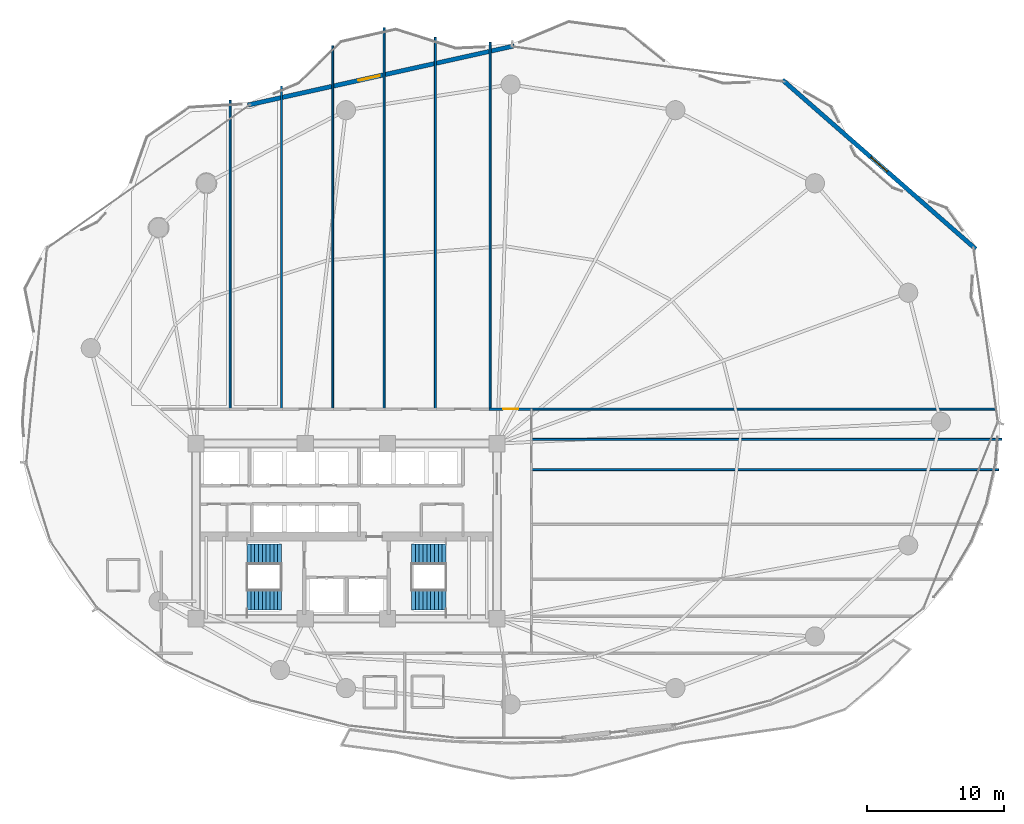
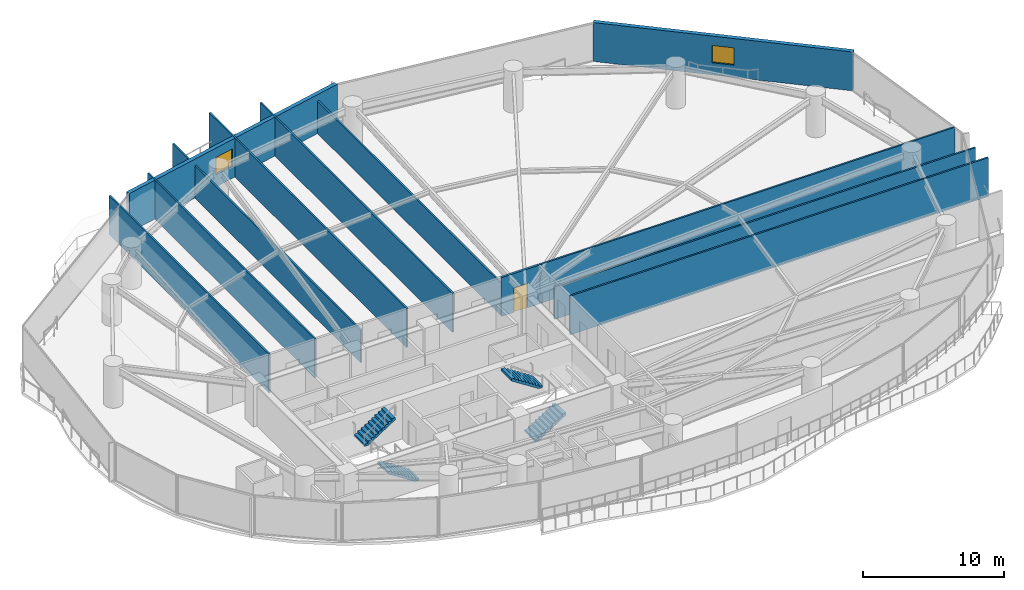
# One storey, part 27 of 32: 12 walls, 4 stair flights, 2 windows, 1 door, 3 openings, 2 elements without a shape of their own.
"""IFC4 building model written with IfcOpenShell, lengths in metres."""

from ifc_helpers import new_model, si_unit, direction, frame, frame_2d, origin, place, context, subcontext, project, spatial, polyline, rectangle, outline, extrude, material, layer, layer_set, type_object, element, fill, aggregate, save


model = new_model("IFC4")

# Units and contexts
model_context = context("Model", 3, precision=1e-05, world=origin(), true_north=direction((0.0, 1.0)))
body_context = subcontext(model_context, "Body", "Model", "MODEL_VIEW")
ifc_project = project(units=[si_unit("LENGTHUNIT", "METRE"), si_unit("AREAUNIT", "SQUARE_METRE"), si_unit("VOLUMEUNIT", "CUBIC_METRE"), si_unit("PLANEANGLEUNIT", "RADIAN"), si_unit("MASSUNIT", "GRAM", prefix="KILO")], contexts=[model_context])

# Site, building, storey
site_placement = place(None, origin())
site = spatial("IfcSite", under=ifc_project, at=site_placement, CompositionType="ELEMENT")
building_placement = place(site_placement, origin())
building = spatial("IfcBuilding", under=site, at=building_placement, Name="Kazevale Care Tower and Concert Hall", CompositionType="ELEMENT")
storey_placement = place(building_placement, frame((0.0, 0.0, 34.800048828125)))
storey = spatial("IfcBuildingStorey", under=building, at=storey_placement, Name="L08", CompositionType="ELEMENT", Elevation=34.800048828125)

# Walls
ifc_material_1 = material(Name="Acoustic Gypsum on Steel Stud", Category="steel")
ifc_layer_1 = layer(ifc_material_1, 0.139892578125)
ifc_layer_set_1 = layer_set([ifc_layer_1], Name="Acoustic Gypsum on Steel Stud")
wall_type_1 = type_object("IfcWallType", Name="Acoustic Care & Suite Partition 140", PredefinedType="PARTITIONING", material=ifc_layer_set_1)
wall_1_placement = place(storey_placement, frame((24.5, 61.48291015625, 0.0), z_axis=(0.0, 0.0, 1.0), x_axis=(0.0, -1.0, 0.0)))
element("IfcWall", 1, at=wall_1_placement, inside=storey, type_object=wall_type_1, Name="wall:L08:auto_019", PredefinedType="PARTITIONING", context=body_context, shape_type="SweptSolid", body=[
    extrude(rectangle(XDim=22.587890625, YDim=0.139892578125, at=frame_2d((11.2939453125, 0.0))), origin(), (0.0, 0.0, 1.0), 3.35986328125),
])
wall_2_placement = place(storey_placement, frame((28.25, 62.532958984375, 0.0), z_axis=(0.0, 0.0, 1.0), x_axis=(0.0, -1.0, 0.0)))
element("IfcWall", 2, at=wall_2_placement, inside=storey, type_object=wall_type_1, Name="wall:L08:auto_020", PredefinedType="PARTITIONING", context=body_context, shape_type="SweptSolid", body=[
    extrude(rectangle(XDim=23.637939453125, YDim=0.139892578125, at=frame_2d((11.81884765625, 0.0))), origin(), (0.0, 0.0, 1.0), 3.35986328125),
])
wall_3_placement = place(storey_placement, frame((32.0, 65.493896484375, 0.0), z_axis=(0.0, 0.0, 1.0), x_axis=(0.0, -1.0, 0.0)))
element("IfcWall", 3, at=wall_3_placement, inside=storey, type_object=wall_type_1, Name="wall:L08:auto_021", PredefinedType="PARTITIONING", context=body_context, shape_type="SweptSolid", body=[
    extrude(rectangle(XDim=26.598876953125, YDim=0.139892578125, at=frame_2d((13.29931640625, 0.0))), origin(), (0.0, 0.0, 1.0), 2.805908203125),
])
wall_4_placement = place(storey_placement, frame((35.75, 66.81298828125, 0.0), z_axis=(0.0, 0.0, 1.0), x_axis=(0.0, -1.0, 0.0)))
element("IfcWall", 4, at=wall_4_placement, inside=storey, type_object=wall_type_1, Name="wall:L08:auto_022", PredefinedType="PARTITIONING", context=body_context, shape_type="SweptSolid", body=[
    extrude(rectangle(XDim=27.91796875, YDim=0.139892578125, at=frame_2d((13.958984375, 0.0))), origin(), (0.0, 0.0, 1.0), 3.35986328125),
])
wall_5_placement = place(storey_placement, frame((39.5, 66.0869140625, 0.0), z_axis=(0.0, 0.0, 1.0), x_axis=(0.0, -1.0, 0.0)))
element("IfcWall", 5, at=wall_5_placement, inside=storey, type_object=wall_type_1, Name="wall:L08:auto_023", PredefinedType="PARTITIONING", context=body_context, shape_type="SweptSolid", body=[
    extrude(rectangle(XDim=27.19189453125, YDim=0.139892578125, at=frame_2d((13.595947265625, 0.0))), origin(), (0.0, 0.0, 1.0), 3.35986328125),
])
wall_6_placement = place(storey_placement, frame((43.5, 65.735107421875, 0.0), z_axis=(0.0, 0.0, 1.0), x_axis=(0.0, -1.0, 0.0)))
element("IfcWall", 6, at=wall_6_placement, inside=storey, type_object=wall_type_1, Name="wall:L08:auto_024", PredefinedType="PARTITIONING", context=body_context, shape_type="SweptSolid", body=[
    extrude(rectangle(XDim=26.840087890625, YDim=0.139892578125, at=frame_2d((13.419921875, 0.0))), origin(), (0.0, 0.0, 1.0), 2.805908203125),
])
wall_7_placement = place(storey_placement, frame((80.480224609375, 38.925048828125, 0.0), z_axis=(0.0, 0.0, 1.0), x_axis=(-1.0, 0.0, 0.0)))
element("IfcWall", 7, at=wall_7_placement, inside=storey, type_object=wall_type_1, Name="wall:L08:auto_025", PredefinedType="PARTITIONING", context=body_context, shape_type="SweptSolid", body=[
    extrude(rectangle(XDim=34.020263671875, YDim=0.139892578125, at=frame_2d((17.01025390625, 0.0))), origin(), (0.0, 0.0, 1.0), 3.35986328125),
])
wall_8_placement = place(storey_placement, frame((46.4951171875, 34.5, 0.0), z_axis=(0.0, 0.0, 1.0), x_axis=(1.0, 0.0, 0.0)))
element("IfcWall", 8, at=wall_8_placement, inside=storey, type_object=wall_type_1, Name="wall:L08:auto_030", PredefinedType="PARTITIONING", context=body_context, shape_type="SweptSolid", body=[
    extrude(rectangle(XDim=34.177001953125, YDim=0.139892578125, at=frame_2d((17.08837890625, 0.0))), origin(), (0.0, 0.0, 1.0), 3.35986328125),
])
wall_9_placement = place(storey_placement, frame((46.4951171875, 36.7099609375, 0.0), z_axis=(0.0, 0.0, 1.0), x_axis=(1.0, 0.0, 0.0)))
element("IfcWall", 9, at=wall_9_placement, inside=storey, type_object=wall_type_1, Name="wall:L08:auto_031", PredefinedType="PARTITIONING", context=body_context, shape_type="SweptSolid", body=[
    extrude(rectangle(XDim=34.409912109375, YDim=0.139892578125, at=frame_2d((17.205078125, 0.0))), origin(), (0.0, 0.0, 1.0), 2.805908203125),
])

# Wall, opening, door
ifc_material_2 = material(Name="Concrete C40 and Acoustic Gypsum", Category="concrete")
ifc_layer_2 = layer(ifc_material_2, 0.179931640625)
ifc_layer_set_2 = layer_set([ifc_layer_2], Name="Concrete C40 and Acoustic Gypsum")
wall_type_2 = type_object("IfcWallType", Name="Fire-Rated Corridor & Party Wall 180", PredefinedType="PARTITIONING", material=ifc_layer_set_2)
wall_10_placement = place(storey_placement, frame((43.43505859375, 38.925048828125, 0.0), z_axis=(0.0, 0.0, 1.0), x_axis=(1.0, 0.0, 0.0)))
wall_10 = element("IfcWall", 10, at=wall_10_placement, inside=storey, type_object=wall_type_2, Name="wall:L08:auto_007", PredefinedType="PARTITIONING", context=body_context, shape_type="SweptSolid", body=[
    extrude(rectangle(XDim=3.119873046875, YDim=0.179931640625, at=frame_2d((1.56005859375, 0.0))), origin(), (0.0, 0.0, 1.0), 3.35986328125),
])
opening_1_placement = place(wall_10_placement, frame((1.010009765625, 0.0, 0.0)))
opening_1 = element("IfcOpeningElement", 11, at=opening_1_placement, cuts=wall_10, Name="Opening ID-1100", PredefinedType="OPENING", context=body_context, shape_type="SweptSolid", body=[
    extrude(rectangle(XDim=1.10009765625, YDim=2.10009765625, at=frame_2d((0.550048828125, 1.050048828125))), frame((0.0, 0.099853515625, 0.0), z_axis=(0.0, -1.0, 0.0), x_axis=(1.0, 0.0, 0.0)), (0.0, 0.0, 1.0), 0.199951171875),
])
ifc_material_3 = material(Name="Oak Timber Fire Leaf", Category="wood")
door_type = type_object("IfcDoorType", Name="Care Bedroom Accessible Door 1100x2100", OperationType="NOTDEFINED", PredefinedType="DOOR", material=ifc_material_3)
door_placement = place(opening_1_placement, origin())
door = element("IfcDoor", 12, at=door_placement, inside=storey, type_object=door_type, Name="door:L08:ad_007", OperationType="SINGLE_SWING_LEFT", OverallHeight=2.10009765625, OverallWidth=1.10009765625, PredefinedType="DOOR", context=body_context, shape_type="SweptSolid", body=[
    extrude(rectangle(XDim=1.10009765625, YDim=2.10009765625, at=frame_2d((0.550048828125, 1.050048828125))), frame((0.0, 0.02490234375, 0.0), z_axis=(0.0, -1.0, 0.0), x_axis=(1.0, 0.0, 0.0)), (0.0, 0.0, 1.0), 0.050048828125),
])
fill(opening_1, door)

# Wall, opening, window
ifc_material_4 = material(Name="Concrete C40 with Honed Limestone Cladding", Category="masonry")
ifc_layer_3 = layer(ifc_material_4, 0.320068359375)
ifc_layer_set_3 = layer_set([ifc_layer_3], Name="Concrete C40 with Honed Limestone Cladding")
wall_type_3 = type_object("IfcWallType", Name="Tower Honed Limestone Spandrel Wall 320", PredefinedType="STANDARD", material=ifc_layer_set_3)
wall_11_placement = place(storey_placement, frame((25.780029296875, 61.14404296875, 0.0), z_axis=(0.0, 0.0, 1.0), x_axis=(0.976206349039, 0.216843639742, 0.0)))
wall_11 = element("IfcWall", 13, at=wall_11_placement, inside=storey, type_object=wall_type_3, Name="wall:L08:cbox:15", PredefinedType="STANDARD", context=body_context, shape_type="SweptSolid", body=[
    extrude(rectangle(XDim=19.949462890625, YDim=0.320068359375, at=frame_2d((9.974609375, 0.0))), origin(), (0.0, 0.0, 1.0), 3.35986328125),
])
opening_2_placement = place(wall_11_placement, frame((8.294921875, 0.0, 1.050048828125)))
opening_2 = element("IfcOpeningElement", 14, at=opening_2_placement, cuts=wall_11, Name="Opening WIN-1", PredefinedType="OPENING", context=body_context, shape_type="SweptSolid", body=[
    extrude(rectangle(XDim=1.60009765625, YDim=1.5, at=frame_2d((0.800048828125, 0.75))), frame((0.0, 0.169921875, 0.0), z_axis=(0.0, -1.0, 0.0), x_axis=(1.0, 0.0, 0.0)), (0.0, 0.0, 1.0), 0.340087890625),
])
ifc_material_5 = material(Name="Low-E Laminated Glass", Category="glass")
window_type = type_object("IfcWindowType", Name="Convex Box Deep-Set Window 1600x1500", PartitioningType="DOUBLE_PANEL_VERTICAL", PredefinedType="WINDOW", material=ifc_material_5)
window_1_placement = place(opening_2_placement, origin())
window_1 = element("IfcWindow", 15, at=window_1_placement, inside=storey, type_object=window_type, Name="win:L08:cbox:15", OverallHeight=1.5, OverallWidth=1.60009765625, PartitioningType="SINGLE_PANEL", PredefinedType="WINDOW", context=body_context, shape_type="SweptSolid", body=[
    extrude(rectangle(XDim=1.60009765625, YDim=1.5, at=frame_2d((0.800048828125, 0.75))), frame((0.0, 0.030029296875, 0.0), z_axis=(0.0, -1.0, 0.0), x_axis=(1.0, 0.0, 0.0)), (0.0, 0.0, 1.0), 0.06005859375),
])
fill(opening_2, window_1)

wall_12_placement = place(storey_placement, frame((64.8740234375, 62.98388671875, 0.0), z_axis=(0.0, 0.0, 1.0), x_axis=(0.752445311183, -0.658654730249, 0.0)))
wall_12 = element("IfcWall", 16, at=wall_12_placement, inside=storey, type_object=wall_type_3, Name="wall:L08:cbox:17", PredefinedType="STANDARD", context=body_context, shape_type="SweptSolid", body=[
    extrude(rectangle(XDim=18.765380859375, YDim=0.320068359375, at=frame_2d((9.3828125, 0.0))), origin(), (0.0, 0.0, 1.0), 3.35986328125),
])
opening_3_placement = place(wall_12_placement, frame((8.58203125, 0.0, 1.050048828125)))
opening_3 = element("IfcOpeningElement", 17, at=opening_3_placement, cuts=wall_12, Name="Opening WIN-1", PredefinedType="OPENING", context=body_context, shape_type="SweptSolid", body=[
    extrude(rectangle(XDim=1.60009765625, YDim=1.5, at=frame_2d((0.800048828125, 0.75))), frame((0.0, 0.169921875, 0.0), z_axis=(0.0, -1.0, 0.0), x_axis=(1.0, 0.0, 0.0)), (0.0, 0.0, 1.0), 0.340087890625),
])
window_2_placement = place(opening_3_placement, origin())
window_2 = element("IfcWindow", 18, at=window_2_placement, inside=storey, type_object=window_type, Name="win:L08:cbox:17", OverallHeight=1.5, OverallWidth=1.60009765625, PartitioningType="SINGLE_PANEL", PredefinedType="WINDOW", context=body_context, shape_type="SweptSolid", body=[
    extrude(rectangle(XDim=1.60009765625, YDim=1.5, at=frame_2d((0.800048828125, 0.75))), frame((0.0, 0.030029296875, 0.0), z_axis=(0.0, -1.0, 0.0), x_axis=(1.0, 0.0, 0.0)), (0.0, 0.0, 1.0), 0.06005859375),
])
fill(opening_3, window_2)

# Stair, stair flights
ifc_material_6 = material(Name="Concrete C40", Category="concrete")
stair_type = type_object("IfcStairType", Name="Exit Stair Assembly ST1-Z1", PredefinedType="HALF_TURN_STAIR", material=ifc_material_6)
stair_1_placement = place(storey_placement, origin())
stair_1 = element("IfcStair", 19, at=stair_1_placement, inside=storey, type_object=stair_type, Name="stair:L08:ST1", PredefinedType="HALF_TURN_STAIR")
ifc_layer_4 = layer(ifc_material_6, 0.159912109375)
ifc_layer_set_4 = layer_set([ifc_layer_4], Name="Concrete C40")
stair_flight_type = type_object("IfcStairFlightType", Name="Exit Stair Flight ST1-Z1", PredefinedType="STRAIGHT", material=ifc_layer_set_4)
stair_flight_1_placement = place(storey_placement, frame((28.25, 24.989990234375, 0.0), z_axis=(0.0, 0.0, 1.0), x_axis=(-1.0, 0.0, 0.0)))
stair_flight_1 = element("IfcStairFlight", 20, at=stair_flight_1_placement, type_object=stair_flight_type, Name="ST1-Z1 flight 1", NumberOfRisers=10, NumberOfTreads=9, PredefinedType="STRAIGHT", RiserHeight=0.18, TreadLength=0.28, context=body_context, shape_type="SweptSolid", body=[
    extrude(outline(polyline([(0.0, 0.0), (0.0, 0.179931640625), (0.280029296875, 0.179931640625), (0.280029296875, 0.360107421875), (0.56005859375, 0.360107421875), (0.56005859375, 0.5400390625), (0.840087890625, 0.5400390625), (0.840087890625, 0.719970703125), (1.1201171875, 0.719970703125), (1.1201171875, 0.89990234375), (1.39990234375, 0.89990234375), (1.39990234375, 1.080078125), (1.679931640625, 1.080078125), (1.679931640625, 1.260009765625), (1.9599609375, 1.260009765625), (1.9599609375, 1.43994140625), (2.239990234375, 1.43994140625), (2.239990234375, 1.6201171875), (2.52001953125, 1.6201171875), (2.52001953125, 1.800048828125), (2.52001953125, 1.429931640625), (0.295654296875, 0.0), (0.0, 0.0)])), frame((0.0, 0.739990234375, 0.0), z_axis=(0.0, -1.0, 0.0), x_axis=(1.0, 0.0, 0.0)), (0.0, 0.0, 1.0), 1.47998046875),
])
stair_flight_2_placement = place(storey_placement, frame((25.72998046875, 28.31005859375, 1.800048828125), z_axis=(0.0, 0.0, 1.0), x_axis=(1.0, 0.0, 0.0)))
stair_flight_2 = element("IfcStairFlight", 21, at=stair_flight_2_placement, type_object=stair_flight_type, Name="ST1-Z1 flight 2", NumberOfRisers=10, NumberOfTreads=9, PredefinedType="STRAIGHT", RiserHeight=0.18, TreadLength=0.28, context=body_context, shape_type="SweptSolid", body=[
    extrude(outline(polyline([(0.0, 0.0), (0.0, 0.179931640625), (0.280029296875, 0.179931640625), (0.280029296875, 0.360107421875), (0.56005859375, 0.360107421875), (0.56005859375, 0.5400390625), (0.840087890625, 0.5400390625), (0.840087890625, 0.719970703125), (1.1201171875, 0.719970703125), (1.1201171875, 0.89990234375), (1.39990234375, 0.89990234375), (1.39990234375, 1.080078125), (1.679931640625, 1.080078125), (1.679931640625, 1.260009765625), (1.9599609375, 1.260009765625), (1.9599609375, 1.43994140625), (2.239990234375, 1.43994140625), (2.239990234375, 1.6201171875), (2.52001953125, 1.6201171875), (2.52001953125, 1.800048828125), (2.52001953125, 1.429931640625), (0.295654296875, 0.0), (0.0, 0.0)])), frame((0.0, 0.739990234375, 0.0), z_axis=(0.0, -1.0, 0.0), x_axis=(1.0, 0.0, 0.0)), (0.0, 0.0, 1.0), 1.47998046875),
])
aggregate(stair_1, [stair_flight_1, stair_flight_2])

stair_2_placement = place(storey_placement, origin())
stair_2 = element("IfcStair", 22, at=stair_2_placement, inside=storey, type_object=stair_type, Name="stair:L08:ST2", PredefinedType="HALF_TURN_STAIR")
stair_flight_3_placement = place(storey_placement, frame((37.75, 24.989990234375, 0.0), z_axis=(0.0, 0.0, 1.0), x_axis=(1.0, 0.0, 0.0)))
stair_flight_3 = element("IfcStairFlight", 23, at=stair_flight_3_placement, type_object=stair_flight_type, Name="ST1-Z1 flight 1", NumberOfRisers=10, NumberOfTreads=9, PredefinedType="STRAIGHT", RiserHeight=0.18, TreadLength=0.28, context=body_context, shape_type="SweptSolid", body=[
    extrude(outline(polyline([(0.0, 0.0), (0.0, 0.179931640625), (0.280029296875, 0.179931640625), (0.280029296875, 0.360107421875), (0.56005859375, 0.360107421875), (0.56005859375, 0.5400390625), (0.840087890625, 0.5400390625), (0.840087890625, 0.719970703125), (1.1201171875, 0.719970703125), (1.1201171875, 0.89990234375), (1.39990234375, 0.89990234375), (1.39990234375, 1.080078125), (1.679931640625, 1.080078125), (1.679931640625, 1.260009765625), (1.9599609375, 1.260009765625), (1.9599609375, 1.43994140625), (2.239990234375, 1.43994140625), (2.239990234375, 1.6201171875), (2.52001953125, 1.6201171875), (2.52001953125, 1.800048828125), (2.52001953125, 1.429931640625), (0.295654296875, 0.0), (0.0, 0.0)])), frame((0.0, 0.739990234375, 0.0), z_axis=(0.0, -1.0, 0.0), x_axis=(1.0, 0.0, 0.0)), (0.0, 0.0, 1.0), 1.47998046875),
])
stair_flight_4_placement = place(storey_placement, frame((40.27001953125, 28.31005859375, 1.800048828125), z_axis=(0.0, 0.0, 1.0), x_axis=(-1.0, 0.0, 0.0)))
stair_flight_4 = element("IfcStairFlight", 24, at=stair_flight_4_placement, type_object=stair_flight_type, Name="ST1-Z1 flight 2", NumberOfRisers=10, NumberOfTreads=9, PredefinedType="STRAIGHT", RiserHeight=0.18, TreadLength=0.28, context=body_context, shape_type="SweptSolid", body=[
    extrude(outline(polyline([(0.0, 0.0), (0.0, 0.179931640625), (0.280029296875, 0.179931640625), (0.280029296875, 0.360107421875), (0.56005859375, 0.360107421875), (0.56005859375, 0.5400390625), (0.840087890625, 0.5400390625), (0.840087890625, 0.719970703125), (1.1201171875, 0.719970703125), (1.1201171875, 0.89990234375), (1.39990234375, 0.89990234375), (1.39990234375, 1.080078125), (1.679931640625, 1.080078125), (1.679931640625, 1.260009765625), (1.9599609375, 1.260009765625), (1.9599609375, 1.43994140625), (2.239990234375, 1.43994140625), (2.239990234375, 1.6201171875), (2.52001953125, 1.6201171875), (2.52001953125, 1.800048828125), (2.52001953125, 1.429931640625), (0.295654296875, 0.0), (0.0, 0.0)])), frame((0.0, 0.739990234375, 0.0), z_axis=(0.0, -1.0, 0.0), x_axis=(1.0, 0.0, 0.0)), (0.0, 0.0, 1.0), 1.47998046875),
])
aggregate(stair_2, [stair_flight_3, stair_flight_4])

save(model, "model.ifc")
